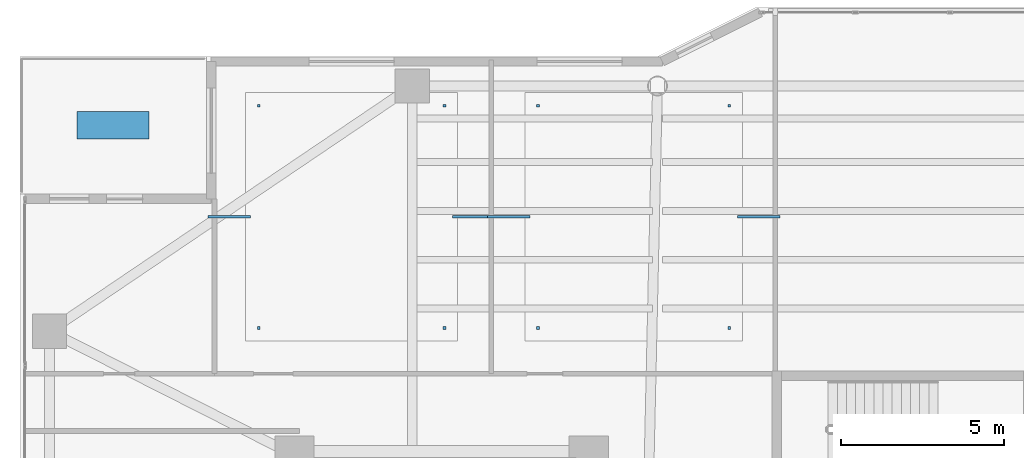
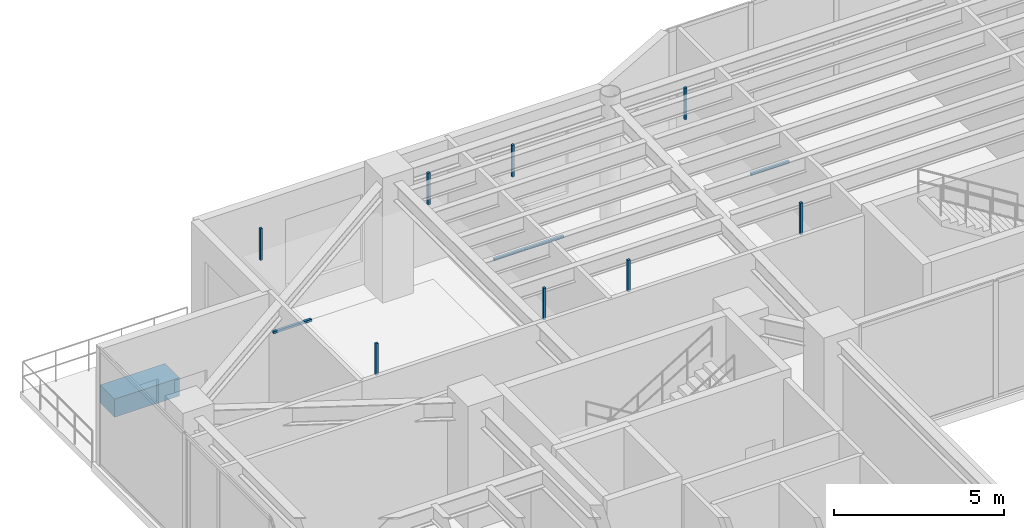
# One storey, part 32 of 38: 13 discrete accessories.
"""IFC4 building model written with IfcOpenShell, lengths in metres."""

from ifc_helpers import new_model, si_unit, direction, frame, origin, origin_2d, place, context, subcontext, project, spatial, rectangle, extrude, material, type_object, element, save


model = new_model("IFC4")

# Units and contexts
model_context = context("Model", 3, precision=1e-05, world=origin(), true_north=direction((0.0, 1.0)))
body_context = subcontext(model_context, "Body", "Model", "MODEL_VIEW")
ifc_project = project(units=[si_unit("LENGTHUNIT", "METRE"), si_unit("AREAUNIT", "SQUARE_METRE"), si_unit("VOLUMEUNIT", "CUBIC_METRE"), si_unit("PLANEANGLEUNIT", "RADIAN"), si_unit("MASSUNIT", "GRAM", prefix="KILO")], contexts=[model_context])

# Site, building, storey
site_placement = place(None, origin())
site = spatial("IfcSite", under=ifc_project, at=site_placement, CompositionType="ELEMENT")
building_placement = place(site_placement, origin())
building = spatial("IfcBuilding", under=site, at=building_placement, Name="Tarnavaz Court Tower", CompositionType="ELEMENT")
storey_placement = place(building_placement, frame((0.0, 0.0, 123.0)))
storey = spatial("IfcBuildingStorey", under=building, at=storey_placement, Name="L33", CompositionType="ELEMENT", Elevation=123.0)

# Discrete accessories
ifc_material_1 = material(Name="Anodised Aluminium 6063-T6", Category="aluminium")
discrete_accessory_type_1 = type_object("IfcDiscreteAccessoryType", Name="DA-BRKT-ALU", PredefinedType="BRACKET", material=ifc_material_1)
for number, where, z_axis, x_axis, name in (
    (1, (-19.699951171875, 13.89990234375, 3.08984375), (0.0, 0.0, 1.0), (1.0, 0.0, 0.0), "L33 Ceiling Suspension Hanger Bracket 01-1"),
    (2, (-14.014892578125, 13.89990234375, 3.08984375), (0.0, 0.0, 1.0), (1.0, 0.0, 0.0), "L33 Ceiling Suspension Hanger Bracket 01-2"),
    (3, (-14.014892578125, 20.699951171875, 3.08984375), (0.0, 0.0, 1.0), (1.0, 0.0, 0.0), "L33 Ceiling Suspension Hanger Bracket 01-3"),
    (4, (-19.699951171875, 20.699951171875, 3.08984375), (0.0, 0.0, 1.0), (1.0, 0.0, 0.0), "L33 Ceiling Suspension Hanger Bracket 01-4"),
):
    element("IfcDiscreteAccessory", number, at=place(storey_placement, frame(where, z_axis=z_axis, x_axis=x_axis)), inside=storey, type_object=discrete_accessory_type_1, Name=name, PredefinedType="BRACKET", context=body_context, shape_type="SweptSolid", body=[
        extrude(rectangle(XDim=0.080078125, YDim=0.080078125, at=origin_2d()), origin(), (0.0, 0.0, 1.0), 1.139892578125),
    ])
for number, where, z_axis, x_axis, name in (
    (5, (-20.60009765625, 17.300048828125, 3.052490234375), (0.0, 0.0, 1.0), (1.0, 0.0, 0.0), "L33 Ceiling Perimeter Wall-Tie Bracket 01-1"),
    (6, (-13.114990234375, 17.300048828125, 3.052490234375), (0.0, 0.0, 1.0), (1.0, 0.0, 0.0), "L33 Ceiling Perimeter Wall-Tie Bracket 01-2"),
):
    element("IfcDiscreteAccessory", number, at=place(storey_placement, frame(where, z_axis=z_axis, x_axis=x_axis)), inside=storey, type_object=discrete_accessory_type_1, Name=name, PredefinedType="BRACKET", context=body_context, shape_type="SweptSolid", body=[
        extrude(rectangle(XDim=1.300048828125, YDim=0.080078125, at=origin_2d()), origin(), (0.0, 0.0, 1.0), 0.080078125),
    ])
for number, where, z_axis, x_axis, name in (
    (7, (-11.155029296875, 13.89990234375, 3.08984375), (0.0, 0.0, 1.0), (1.0, 0.0, 0.0), "L33 Ceiling Suspension Hanger Bracket 02-1"),
    (8, (-5.300048828125, 13.89990234375, 3.08984375), (0.0, 0.0, 1.0), (1.0, 0.0, 0.0), "L33 Ceiling Suspension Hanger Bracket 02-2"),
    (9, (-5.300048828125, 20.699951171875, 3.08984375), (0.0, 0.0, 1.0), (1.0, 0.0, 0.0), "L33 Ceiling Suspension Hanger Bracket 02-3"),
    (10, (-11.155029296875, 20.699951171875, 3.08984375), (0.0, 0.0, 1.0), (1.0, 0.0, 0.0), "L33 Ceiling Suspension Hanger Bracket 02-4"),
):
    element("IfcDiscreteAccessory", number, at=place(storey_placement, frame(where, z_axis=z_axis, x_axis=x_axis)), inside=storey, type_object=discrete_accessory_type_1, Name=name, PredefinedType="BRACKET", context=body_context, shape_type="SweptSolid", body=[
        extrude(rectangle(XDim=0.080078125, YDim=0.080078125, at=origin_2d()), origin(), (0.0, 0.0, 1.0), 1.139892578125),
    ])
for number, where, z_axis, x_axis, name in (
    (11, (-12.054931640625, 17.300048828125, 3.052490234375), (0.0, 0.0, 1.0), (1.0, 0.0, 0.0), "L33 Ceiling Perimeter Wall-Tie Bracket 02-1"),
    (12, (-4.39990234375, 17.300048828125, 3.052490234375), (0.0, 0.0, 1.0), (1.0, 0.0, 0.0), "L33 Ceiling Perimeter Wall-Tie Bracket 02-2"),
):
    element("IfcDiscreteAccessory", number, at=place(storey_placement, frame(where, z_axis=z_axis, x_axis=x_axis)), inside=storey, type_object=discrete_accessory_type_1, Name=name, PredefinedType="BRACKET", context=body_context, shape_type="SweptSolid", body=[
        extrude(rectangle(XDim=1.300048828125, YDim=0.080078125, at=origin_2d()), origin(), (0.0, 0.0, 1.0), 0.080078125),
    ])
ifc_material_2 = material(Name="Terracotta Architectural Planter Trough", Category="masonry")
discrete_accessory_type_2 = type_object("IfcDiscreteAccessoryType", Name="DA-PLANTER-TC", PredefinedType="USERDEFINED", material=ifc_material_2)
discrete_accessory_placement = place(storey_placement, frame((-24.14990234375, 20.10009765625, 0.0), z_axis=(0.0, 0.0, 1.0), x_axis=(1.0, 0.0, 0.0)))
element("IfcDiscreteAccessory", 13, at=discrete_accessory_placement, inside=storey, type_object=discrete_accessory_type_2, Name="L33 Chahar-Bagh Terracotta Landscape Planter 2", ObjectType="PLANTER", PredefinedType="USERDEFINED", context=body_context, shape_type="SweptSolid", body=[
    extrude(rectangle(XDim=2.199951171875, YDim=0.85009765625, at=origin_2d()), origin(), (0.0, 0.0, 1.0), 0.64990234375),
])

save(model, "model.ifc")
